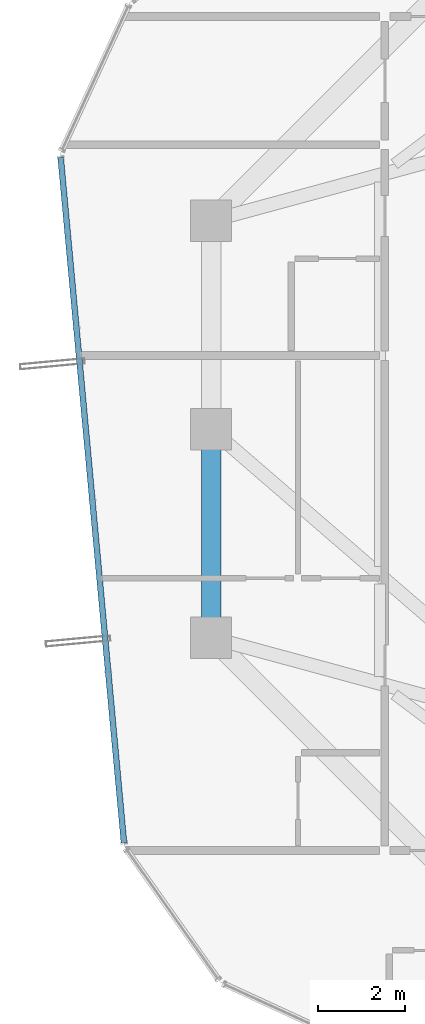
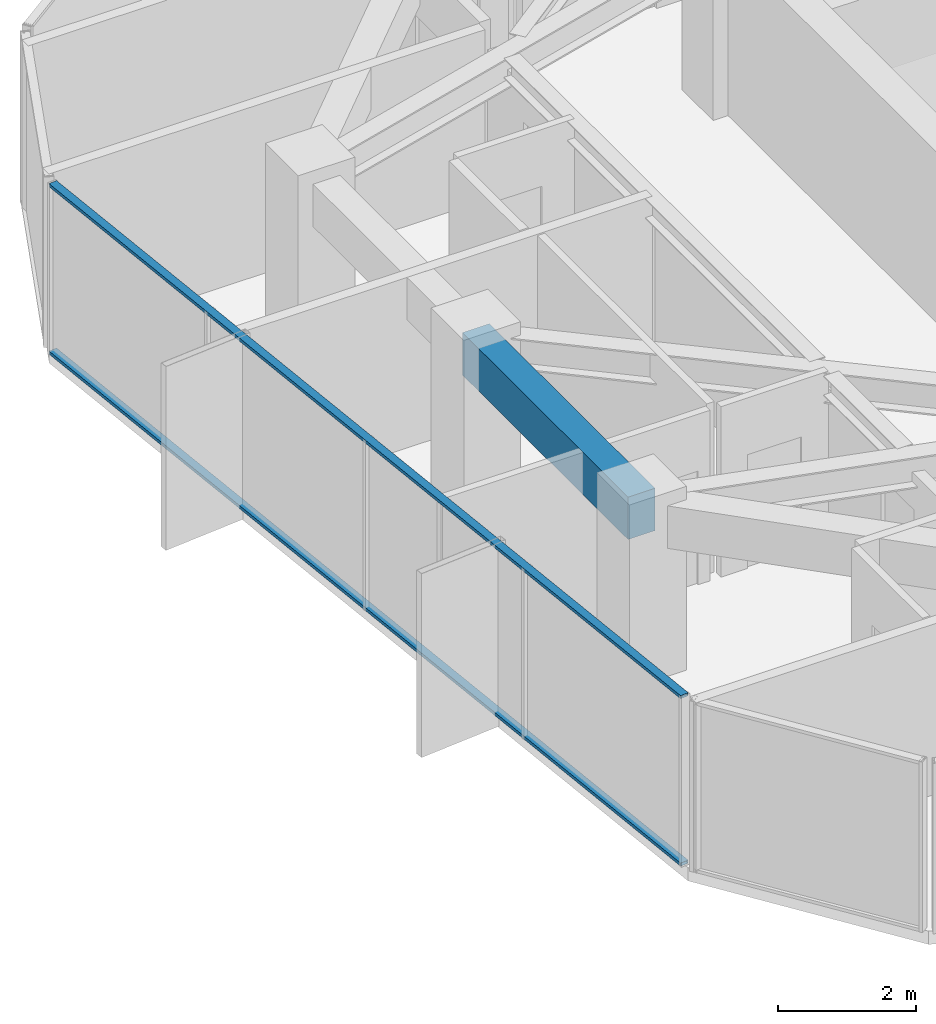
# One storey, part 11 of 32: 2 members, 1 beam, 1 element without a shape of its own.
"""IFC4 building model written with IfcOpenShell, lengths in metres."""

import ifcopenshell
import ifcopenshell.guid

model = None  # the IFC model being written
_history = None  # IfcOwnerHistory: only IFC2X3 demands one
_inside = {}  # id of a spatial element -> (the spatial element, [elements in it])
_under = {}  # id of a project, library or spatial element -> (it, [spatial elements below it])
_declared = {}  # id of a project -> (the project, [libraries it declares])
_typed = {}  # id of a type object -> (the type object, [elements of that type])
_made_of = {}  # id of a material, layer set ... -> (it, [elements and type objects made of it])


def new_model(schema):
    """Start an empty IFC model of exactly this schema.

    Asked for "IFC4X3", IfcOpenShell would pick the latest addendum, in which some entities
    have other attributes; the version numbers below select the first issue.
    IFC2X3 requires an IfcOwnerHistory on every rooted entity: one is made here for all.
    """
    global model, _history
    if schema == "IFC4X3":
        model = ifcopenshell.file(schema_version=(4, 3, 0, 0))
    else:
        model = ifcopenshell.file(schema=schema)
    _inside.clear()
    _under.clear()
    _declared.clear()
    _typed.clear()
    _made_of.clear()
    _history = None
    if model.schema == "IFC2X3":
        org = make("IfcOrganization", Name="unknown")
        user = make(
            "IfcPersonAndOrganization",
            ThePerson=make("IfcPerson", FamilyName="unknown"),
            TheOrganization=org,
        )
        app = make(
            "IfcApplication",
            ApplicationDeveloper=org,
            Version="unknown",
            ApplicationFullName="unknown",
            ApplicationIdentifier="unknown",
        )
        _history = make(
            "IfcOwnerHistory",
            OwningUser=user,
            OwningApplication=app,
            ChangeAction="ADDED",
            CreationDate=0,
        )
    return model


def make(cls, **values):
    """One entity of the class cls with the attributes given. An attribute that is None is left unset."""
    return model.create_entity(
        cls, **{name: value for name, value in values.items() if value is not None}
    )


def rooted(cls, **values):
    """An entity with a GlobalId (a new one), such as an element, a storey or a relation."""
    return make(cls, GlobalId=ifcopenshell.guid.new(), OwnerHistory=_history, **values)


def si_unit(unit_type, name, prefix=None):
    """IfcSIUnit, for example si_unit("LENGTHUNIT", "METRE", prefix="MILLI")."""
    return make("IfcSIUnit", UnitType=unit_type, Prefix=prefix, Name=name)


def assignment(units):
    """IfcUnitAssignment: the units of a project."""
    return None if units is None else make("IfcUnitAssignment", Units=units)


def point(xyz):
    """IfcCartesianPoint."""
    return None if xyz is None else make("IfcCartesianPoint", Coordinates=xyz)


def direction(xyz):
    """IfcDirection."""
    return None if xyz is None else make("IfcDirection", DirectionRatios=xyz)


def frame(location, z_axis=None, x_axis=None):
    """IfcAxis2Placement3D, a coordinate frame: its origin and axes. An axis left out is left unset."""
    return make(
        "IfcAxis2Placement3D",
        Location=point(location),
        Axis=direction(z_axis),
        RefDirection=direction(x_axis),
    )


def frame_2d(location, x_axis=None):
    """IfcAxis2Placement2D, a coordinate frame in the plane: its origin and x axis."""
    return make(
        "IfcAxis2Placement2D", Location=point(location), RefDirection=direction(x_axis)
    )


def origin():
    """The frame at (0, 0, 0) with its axes left unset."""
    return frame((0.0, 0.0, 0.0))


def origin_2d():
    """The frame at (0, 0) in the plane with its x axis left unset."""
    return frame_2d((0.0, 0.0))


def place(relative_to, where):
    """IfcLocalPlacement: puts the frame where relative to a parent placement (None: the world)."""
    return make(
        "IfcLocalPlacement", PlacementRelTo=relative_to, RelativePlacement=where
    )


def context(
    kind, dimensions, precision=None, world=None, true_north=None, identifier=None
):
    """IfcGeometricRepresentationContext, for example the 3D "Model" context."""
    return make(
        "IfcGeometricRepresentationContext",
        ContextIdentifier=identifier,
        ContextType=kind,
        CoordinateSpaceDimension=dimensions,
        Precision=precision,
        WorldCoordinateSystem=world,
        TrueNorth=true_north,
    )


def subcontext(parent, identifier, kind, view, scale=None):
    """IfcGeometricRepresentationSubContext, for example "Body" below "Model"."""
    return make(
        "IfcGeometricRepresentationSubContext",
        ContextIdentifier=identifier,
        ContextType=kind,
        ParentContext=parent,
        TargetScale=scale,
        TargetView=view,
    )


def project(units=None, contexts=None):
    """IfcProject with its units and contexts."""
    return rooted(
        "IfcProject",
        Name="project",
        RepresentationContexts=contexts,
        UnitsInContext=assignment(units),
    )


def spatial(cls, under=None, at=None, **own):
    """A site, building, storey or space (cls), placed at a placement, below another one or the project."""
    s = rooted(cls, ObjectPlacement=at, **own)
    if under is not None:
        _under.setdefault(under.id(), (under, []))[1].append(s)
    return s


def profile(cls, at=None, kind="AREA", **sizes):
    """A parametric profile (cls). Its sizes go by their IFC names, for example OverallWidth=200.0."""
    return make(cls, ProfileType=kind, Position=at, **sizes)


def rectangle(**sizes):
    """IfcRectangleProfileDef."""
    return profile("IfcRectangleProfileDef", **sizes)


def hollow_rectangle(**sizes):
    """IfcRectangleHollowProfileDef."""
    return profile("IfcRectangleHollowProfileDef", **sizes)


def extrude(swept, where, along, depth):
    """IfcExtrudedAreaSolid: the profile swept, set in the frame where, extruded along a direction by depth."""
    return make(
        "IfcExtrudedAreaSolid",
        SweptArea=swept,
        Position=where,
        ExtrudedDirection=direction(along),
        Depth=depth,
    )


def shape(context_of_items, identifier, shape_type, items):
    """IfcShapeRepresentation: the items that make up one representation, for example the "Body"."""
    return make(
        "IfcShapeRepresentation",
        ContextOfItems=context_of_items,
        RepresentationIdentifier=identifier,
        RepresentationType=shape_type,
        Items=items,
    )


def source(mapping_origin, context_of_items, identifier, shape_type, items):
    """IfcRepresentationMap: a shape defined once, which mapped items show again and again."""
    return make(
        "IfcRepresentationMap",
        MappingOrigin=mapping_origin,
        MappedRepresentation=shape(context_of_items, identifier, shape_type, items),
    )


def transform(
    local_origin,
    x_axis=None,
    y_axis=None,
    z_axis=None,
    scale=None,
    scale2=None,
    scale3=None,
    uniform=True,
):
    """IfcCartesianTransformationOperator3D, or its non-uniform kind. x_axis, y_axis, z_axis: its Axis1, 2, 3."""
    if uniform:
        return make(
            "IfcCartesianTransformationOperator3D",
            Axis1=direction(x_axis),
            Axis2=direction(y_axis),
            LocalOrigin=point(local_origin),
            Scale=scale,
            Axis3=direction(z_axis),
        )
    return make(
        "IfcCartesianTransformationOperator3DnonUniform",
        Axis1=direction(x_axis),
        Axis2=direction(y_axis),
        LocalOrigin=point(local_origin),
        Scale=scale,
        Axis3=direction(z_axis),
        Scale2=scale2,
        Scale3=scale3,
    )


def mapped(mapping_source, mapping_target):
    """IfcMappedItem: shows the shape of a source again, moved by a transform."""
    return make(
        "IfcMappedItem", MappingSource=mapping_source, MappingTarget=mapping_target
    )


def material(Name=None, Category=None):
    """IfcMaterial."""
    return make("IfcMaterial", Name=Name, Category=Category)


def layer(
    of_material, thickness, ventilated=None, Name=None, Category=None, Priority=None
):
    """IfcMaterialLayer: one layer of a wall or slab, of a material (None: an air gap)."""
    return make(
        "IfcMaterialLayer",
        Material=of_material,
        LayerThickness=thickness,
        IsVentilated=ventilated,
        Name=Name,
        Category=Category,
        Priority=Priority,
    )


def layer_set(layers, Name=None):
    """IfcMaterialLayerSet."""
    return make("IfcMaterialLayerSet", MaterialLayers=layers, LayerSetName=Name)


def material_profile(
    of_material, cross_section, Name=None, Category=None, Priority=None
):
    """IfcMaterialProfile: a cross section and its material."""
    return make(
        "IfcMaterialProfile",
        Name=Name,
        Material=of_material,
        Profile=cross_section,
        Priority=Priority,
        Category=Category,
    )


def profile_set(profiles, Name=None, composite=None):
    """IfcMaterialProfileSet."""
    return make(
        "IfcMaterialProfileSet",
        Name=Name,
        MaterialProfiles=profiles,
        CompositeProfile=composite,
    )


def made_of(thing, what):
    """Note that an element or type object is made of a material, layer set ...; save() writes the relation."""
    if what is not None:
        _made_of.setdefault(what.id(), (what, []))[1].append(thing)
    return thing


def type_object(cls, material=None, **own):
    """A type object (cls), such as IfcWallType, which elements share."""
    return made_of(rooted(cls, **own), material)


def element(
    cls,
    number,
    at=None,
    inside=None,
    cuts=None,
    type_object=None,
    material=None,
    context=None,
    identifier="Body",
    shape_type=None,
    held_by="IfcProductDefinitionShape",
    body=None,
    shapes=None,
    **own,
):
    """One element of the class cls, such as IfcWall. Its Tag is "e" and its number.

    at: its placement. inside: the storey or other place that contains it. cuts: it is an
    opening in that element (IfcRelVoidsElement). A single representation is given by context,
    identifier, shape_type and body (its items); several are given by shapes. held_by: the class
    of the entity that holds the representations. save() writes the other relations.
    """
    e = rooted(cls, Tag="e%d" % number, ObjectPlacement=at, **own)
    if body is not None:
        shapes = [shape(context, identifier, shape_type, body)]
    if shapes is not None:
        e.Representation = make(held_by, Representations=shapes)
    if inside is not None:
        _inside.setdefault(inside.id(), (inside, []))[1].append(e)
    if cuts is not None:
        rooted(
            "IfcRelVoidsElement", RelatingBuildingElement=cuts, RelatedOpeningElement=e
        )
    if type_object is not None:
        _typed.setdefault(type_object.id(), (type_object, []))[1].append(e)
    return made_of(e, material)


def aggregate(whole, parts):
    """IfcRelAggregates: a whole, such as a stair, and the parts it consists of."""
    return rooted("IfcRelAggregates", RelatingObject=whole, RelatedObjects=parts)


def save(model, path):
    """Write the relations noted so far, then the file.

    IfcRelAggregates (storeys below a building ...), IfcRelContainedInSpatialStructure (elements
    in a storey), IfcRelDefinesByType, IfcRelAssociatesMaterial and IfcRelDeclares: one each for
    every whole, place, type object, material and project.
    """
    for whole, parts in _under.values():
        aggregate(whole, parts)
    for where, things in _inside.values():
        rooted(
            "IfcRelContainedInSpatialStructure",
            RelatedElements=things,
            RelatingStructure=where,
        )
    for kind, things in _typed.values():
        rooted("IfcRelDefinesByType", RelatedObjects=things, RelatingType=kind)
    for what, things in _made_of.values():
        rooted("IfcRelAssociatesMaterial", RelatedObjects=things, RelatingMaterial=what)
    for by, libraries in _declared.values():
        rooted("IfcRelDeclares", RelatingContext=by, RelatedDefinitions=libraries)
    model.write(path)


model = new_model("IFC4")

# Units and contexts
model_context = context("Model", 3, precision=1e-05, world=origin(), true_north=direction((0.0, 1.0)))
body_context = subcontext(model_context, "Body", "Model", "MODEL_VIEW")
ifc_project = project(units=[si_unit("LENGTHUNIT", "METRE"), si_unit("AREAUNIT", "SQUARE_METRE"), si_unit("VOLUMEUNIT", "CUBIC_METRE"), si_unit("PLANEANGLEUNIT", "RADIAN"), si_unit("MASSUNIT", "GRAM", prefix="KILO")], contexts=[model_context])

# Site, building, storey
site_placement = place(None, origin())
site = spatial("IfcSite", under=ifc_project, at=site_placement, CompositionType="ELEMENT")
building_placement = place(site_placement, origin())
building = spatial("IfcBuilding", under=site, at=building_placement, Name="Veraguas Prism Commons", CompositionType="ELEMENT")
storey_placement = place(building_placement, frame((0.0, 0.0, 188.60009765625)))
storey = spatial("IfcBuildingStorey", under=building, at=storey_placement, Name="L53", CompositionType="ELEMENT", Elevation=188.60009765625)

# Beam
ifc_material_1 = material(Name="Concrete C50/60", Category="concrete")
ifc_material_profile_1 = material_profile(ifc_material_1, rectangle(XDim=0.449951171875, YDim=0.75, at=origin_2d()), Name="RC450X750")
ifc_profile_set_1 = profile_set([ifc_material_profile_1], Name="Concrete C50/60")
beam_type = type_object("IfcBeamType", Name="Perimeter Spandrel Upper RC 450x750", PredefinedType="SPANDREL", material=ifc_profile_set_1)
beam_placement = place(storey_placement, frame((9.10009765625, 24.0, 2.639892578125), z_axis=(0.0, -1.0, 0.0), x_axis=(1.0, 0.0, 0.0)))
element("IfcBeam", 1, at=beam_placement, inside=storey, type_object=beam_type, Name="Perimeter Spandrel Beam L53-SP08", PredefinedType="SPANDREL", context=body_context, shape_type="SweptSolid", body=[
    extrude(rectangle(XDim=0.449951171875, YDim=0.75, at=origin_2d()), origin(), (0.0, 0.0, 1.0), 4.800048828125),
])

# Curtain wall, members
ifc_material_2 = material(Name="Anodised aluminium EN AW-6063 T6", Category="aluminium")
ifc_layer = layer(ifc_material_2, 0.14990234375, Name="Unitised Flush Curtain Wall Zone 3", Category="aluminium")
ifc_layer_set = layer_set([ifc_layer], Name="Anodised aluminium EN AW-6063 T6")
curtain_wall_type = type_object("IfcCurtainWallType", Name="Unitised Flush Curtain Wall Zone 3", PredefinedType="NOTDEFINED", material=ifc_layer_set)
curtain_wall_placement = place(storey_placement, origin())
curtain_wall = element("IfcCurtainWall", 2, at=curtain_wall_placement, inside=storey, type_object=curtain_wall_type, Name="Tower Facade Curtain Wall L53-F3", PredefinedType="NOTDEFINED")
ifc_material_profile_2 = material_profile(ifc_material_2, hollow_rectangle(XDim=0.054931640625, YDim=0.135009765625, WallThickness=0.0029296875, at=origin_2d()), Name="AL55X135X3")
ifc_profile_set_2 = profile_set([ifc_material_profile_2], Name="Anodised aluminium EN AW-6063 T6")
member_type = type_object("IfcMemberType", Name="Curtain Wall Transom Standard AL 55x135x3", PredefinedType="USERDEFINED", material=ifc_profile_set_2)
shared_shape = source(origin(), body_context, "Body", "SweptSolid", [
    extrude(hollow_rectangle(XDim=0.054931640625, YDim=0.135009765625, WallThickness=0.0029296875, at=origin_2d()), origin(), (0.0, 0.0, 1.0), 15.84228515625),
])
member_1_placement = place(storey_placement, frame((5.635986328125, 30.2578125, 0.02734375), z_axis=(0.092016834217, -0.995757451501, 0.0), x_axis=(0.0, 0.0, 1.0)))
member_1 = element("IfcMember", 3, at=member_1_placement, type_object=member_type, Name="CW-Z3 Transom 1", ObjectType="TRANSOM", PredefinedType="USERDEFINED", context=body_context, shape_type="MappedRepresentation", body=[
    mapped(shared_shape, transform((0.0, 0.0, 0.0), scale=1.0)),
])
member_2_placement = place(storey_placement, frame((5.635986328125, 30.2578125, 2.9873046875), z_axis=(0.092016834217, -0.995757451501, 0.0), x_axis=(0.0, 0.0, 1.0)))
member_2 = element("IfcMember", 4, at=member_2_placement, type_object=member_type, Name="CW-Z3 Transom 2", ObjectType="TRANSOM", PredefinedType="USERDEFINED", context=body_context, shape_type="MappedRepresentation", body=[
    mapped(shared_shape, transform((0.0, 0.0, 0.0), scale=1.0)),
])
aggregate(curtain_wall, [member_1, member_2])

save(model, "model.ifc")
